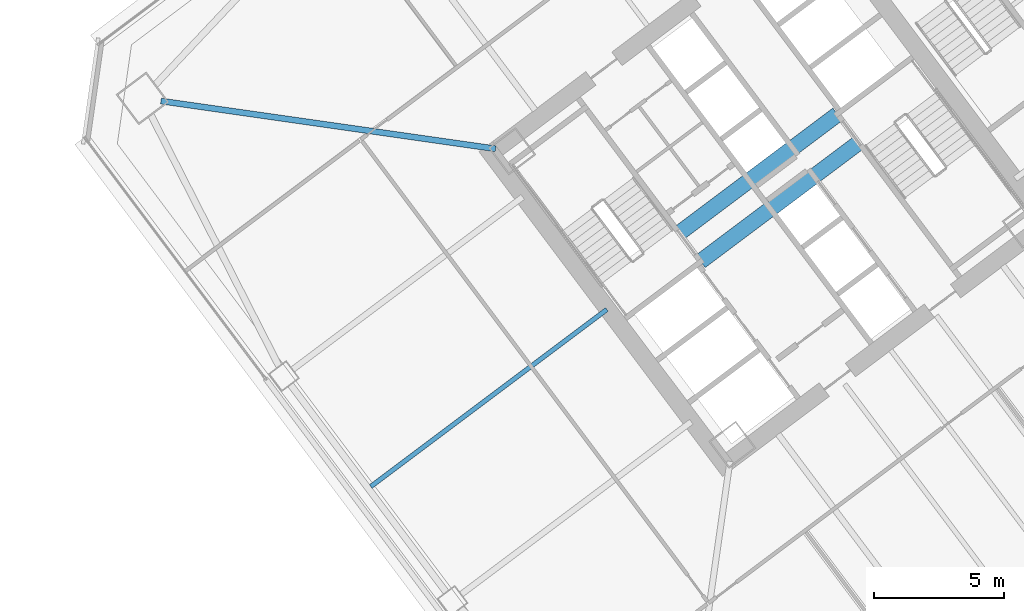
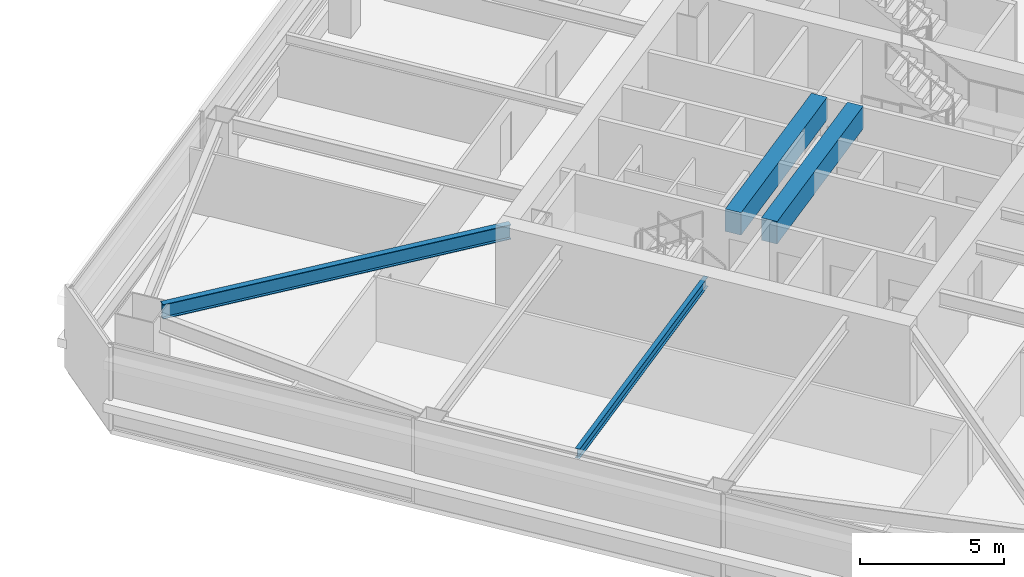
# One storey, part 22 of 44: 4 beams.
"""IFC4 building model written with IfcOpenShell, lengths in metres."""

from ifc_helpers import new_model, si_unit, direction, frame, origin, origin_2d, place, context, subcontext, project, spatial, rectangle, i_section, extrude, material, material_profile, profile_set, type_object, element, save


model = new_model("IFC4")

# Units and contexts
model_context = context("Model", 3, precision=1e-05, world=origin(), true_north=direction((0.0, 1.0)))
body_context = subcontext(model_context, "Body", "Model", "MODEL_VIEW")
ifc_project = project(units=[si_unit("LENGTHUNIT", "METRE"), si_unit("AREAUNIT", "SQUARE_METRE"), si_unit("VOLUMEUNIT", "CUBIC_METRE"), si_unit("PLANEANGLEUNIT", "RADIAN"), si_unit("MASSUNIT", "GRAM", prefix="KILO")], contexts=[model_context])

# Site, building, storey
site_placement = place(None, origin())
site = spatial("IfcSite", under=ifc_project, at=site_placement, CompositionType="ELEMENT")
building_placement = place(site_placement, origin())
building = spatial("IfcBuilding", under=site, at=building_placement, Name="Tashvorn Skyway Center", CompositionType="ELEMENT")
storey_placement = place(building_placement, frame((0.0, 0.0, 102.699951171875)))
storey = spatial("IfcBuildingStorey", under=building, at=storey_placement, Name="L27", CompositionType="ELEMENT", Elevation=102.699951171875)

# Beams
ifc_material_1 = material(Name="Steel ASTM A992 Grade 50", Category="steel")
ifc_material_profile_1 = material_profile(ifc_material_1, i_section(OverallWidth=0.22998046875, OverallDepth=0.616943359375, WebThickness=0.01318359375, FlangeThickness=0.022216796875, at=origin_2d()), Name="W24X94")
ifc_profile_set_1 = profile_set([ifc_material_profile_1], Name="Steel ASTM A992 Grade 50")
beam_type_1 = type_object("IfcBeamType", Name="BM-BEAM-W24X94", PredefinedType="BEAM", material=ifc_profile_set_1)
beam_1_placement = place(storey_placement, frame((90.6328125, 35.338134765625, 3.04150390625), z_axis=(0.989949869571, -0.141418724841, 0.0), x_axis=(0.141418724841, 0.989949869571, 0.0)))
element("IfcBeam", 1, at=beam_1_placement, inside=storey, type_object=beam_type_1, Name="Tower 2 L27 Primary Floor Girder MC-NW", PredefinedType="BEAM", context=body_context, shape_type="SweptSolid", body=[
    extrude(i_section(OverallWidth=0.22998046875, OverallDepth=0.616943359375, WebThickness=0.01318359375, FlangeThickness=0.022216796875, at=origin_2d()), origin(), (0.0, 0.0, 1.0), 12.9892578125),
])
ifc_material_profile_2 = material_profile(ifc_material_1, i_section(OverallWidth=0.177978515625, OverallDepth=0.406005859375, WebThickness=0.0078125, FlangeThickness=0.0126953125, at=origin_2d()), Name="W16X40")
ifc_profile_set_2 = profile_set([ifc_material_profile_2], Name="Steel ASTM A992 Grade 50")
beam_type_2 = type_object("IfcBeamType", Name="BM-JOIST-W16X40", PredefinedType="JOIST", material=ifc_profile_set_2)
beam_2_placement = place(storey_placement, frame((107.76806640625, 27.325927734375, 3.14697265625), z_axis=(-0.800002583493, -0.599996555327, 0.0), x_axis=(0.599996555327, -0.800002583493, 0.0)))
element("IfcBeam", 2, at=beam_2_placement, inside=storey, type_object=beam_type_2, Name="Tower 2 L27 Secondary Composite Joist JW", PredefinedType="JOIST", context=body_context, shape_type="SweptSolid", body=[
    extrude(i_section(OverallWidth=0.177978515625, OverallDepth=0.406005859375, WebThickness=0.0078125, FlangeThickness=0.0126953125, at=origin_2d()), origin(), (0.0, 0.0, 1.0), 11.340087890625),
])
ifc_material_2 = material(Name="Concrete C60/75", Category="concrete")
ifc_material_profile_3 = material_profile(ifc_material_2, rectangle(XDim=0.60009765625, YDim=0.949951171875, at=origin_2d()), Name="RCB600x950")
ifc_profile_set_3 = profile_set([ifc_material_profile_3], Name="Concrete C60/75")
beam_type_3 = type_object("IfcBeamType", Name="BM-LINTEL-RCB600x950", PredefinedType="LINTEL", material=ifc_profile_set_3)
for number, where, z_axis, x_axis, name in (
    (3, (110.552001953125, 30.263916015625, 2.875), (0.8, 0.6, 0.0), (-0.6, 0.8, 0.0), "Tower 2 L27 Core Coupling Beam CN"),
    (4, (111.367919921875, 29.176025390625, 2.875), (0.8, 0.6, 0.0), (-0.6, 0.8, 0.0), "Tower 2 L27 Core Coupling Beam CS"),
):
    element("IfcBeam", number, at=place(storey_placement, frame(where, z_axis=z_axis, x_axis=x_axis)), inside=storey, type_object=beam_type_3, Name=name, PredefinedType="LINTEL", context=body_context, shape_type="SweptSolid", body=[
        extrude(rectangle(XDim=0.60009765625, YDim=0.949951171875, at=origin_2d()), origin(), (0.0, 0.0, 1.0), 7.60009765625),
    ])

save(model, "model.ifc")
